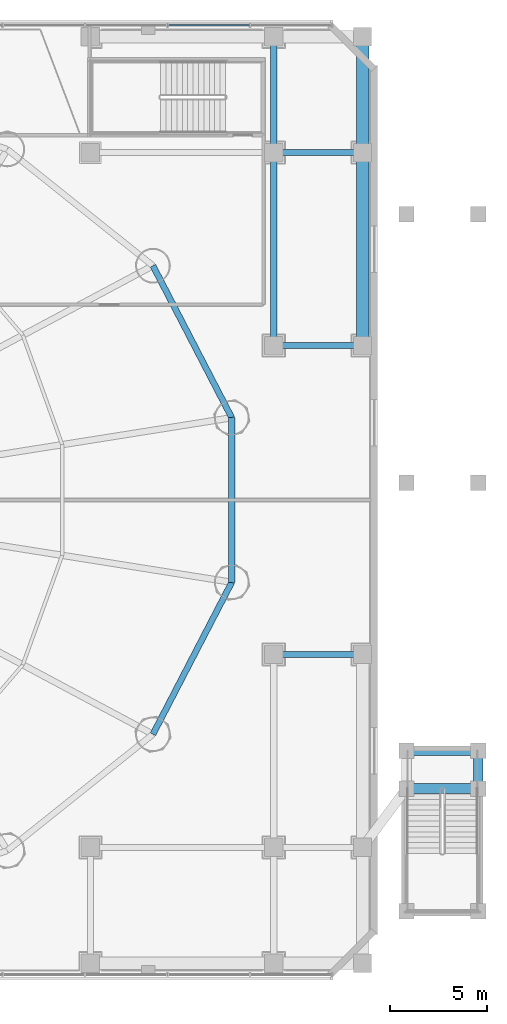
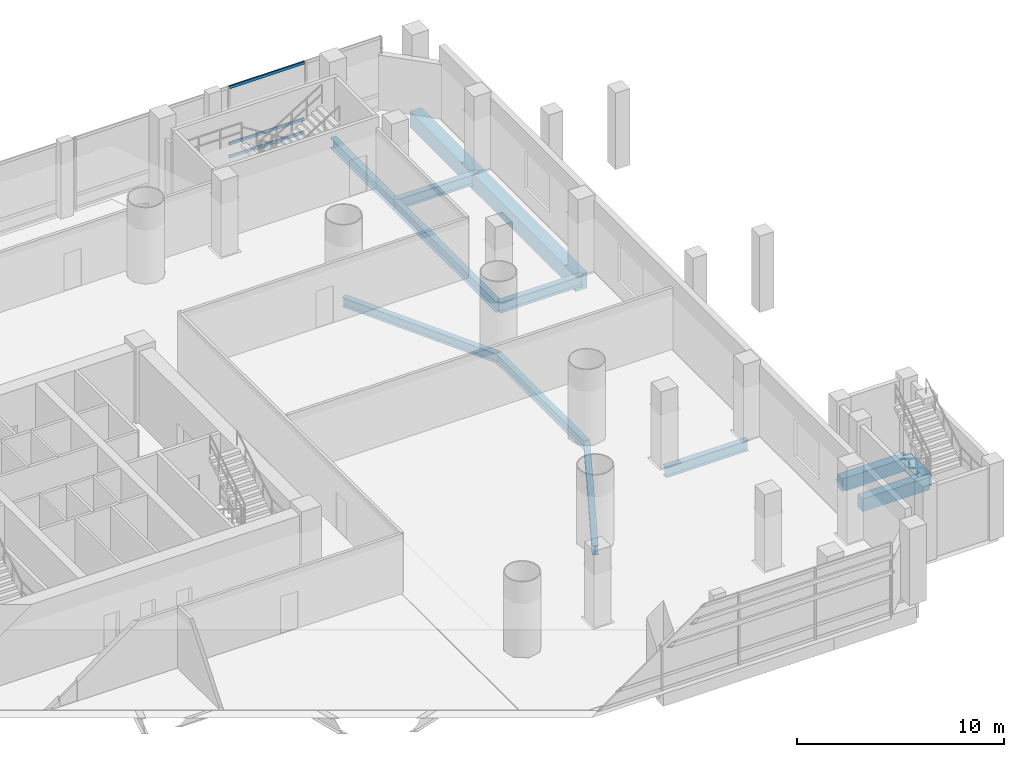
# One storey, part 17 of 36: 13 beams, 3 members, 1 element without a shape of its own.
"""IFC4 building model written with IfcOpenShell, lengths in metres."""

import ifcopenshell
import ifcopenshell.guid

model = None  # the IFC model being written
_history = None  # IfcOwnerHistory: only IFC2X3 demands one
_inside = {}  # id of a spatial element -> (the spatial element, [elements in it])
_under = {}  # id of a project, library or spatial element -> (it, [spatial elements below it])
_declared = {}  # id of a project -> (the project, [libraries it declares])
_typed = {}  # id of a type object -> (the type object, [elements of that type])
_made_of = {}  # id of a material, layer set ... -> (it, [elements and type objects made of it])


def new_model(schema):
    """Start an empty IFC model of exactly this schema.

    Asked for "IFC4X3", IfcOpenShell would pick the latest addendum, in which some entities
    have other attributes; the version numbers below select the first issue.
    IFC2X3 requires an IfcOwnerHistory on every rooted entity: one is made here for all.
    """
    global model, _history
    if schema == "IFC4X3":
        model = ifcopenshell.file(schema_version=(4, 3, 0, 0))
    else:
        model = ifcopenshell.file(schema=schema)
    _inside.clear()
    _under.clear()
    _declared.clear()
    _typed.clear()
    _made_of.clear()
    _history = None
    if model.schema == "IFC2X3":
        org = make("IfcOrganization", Name="unknown")
        user = make(
            "IfcPersonAndOrganization",
            ThePerson=make("IfcPerson", FamilyName="unknown"),
            TheOrganization=org,
        )
        app = make(
            "IfcApplication",
            ApplicationDeveloper=org,
            Version="unknown",
            ApplicationFullName="unknown",
            ApplicationIdentifier="unknown",
        )
        _history = make(
            "IfcOwnerHistory",
            OwningUser=user,
            OwningApplication=app,
            ChangeAction="ADDED",
            CreationDate=0,
        )
    return model


def make(cls, **values):
    """One entity of the class cls with the attributes given. An attribute that is None is left unset."""
    return model.create_entity(
        cls, **{name: value for name, value in values.items() if value is not None}
    )


def rooted(cls, **values):
    """An entity with a GlobalId (a new one), such as an element, a storey or a relation."""
    return make(cls, GlobalId=ifcopenshell.guid.new(), OwnerHistory=_history, **values)


def si_unit(unit_type, name, prefix=None):
    """IfcSIUnit, for example si_unit("LENGTHUNIT", "METRE", prefix="MILLI")."""
    return make("IfcSIUnit", UnitType=unit_type, Prefix=prefix, Name=name)


def assignment(units):
    """IfcUnitAssignment: the units of a project."""
    return None if units is None else make("IfcUnitAssignment", Units=units)


def point(xyz):
    """IfcCartesianPoint."""
    return None if xyz is None else make("IfcCartesianPoint", Coordinates=xyz)


def direction(xyz):
    """IfcDirection."""
    return None if xyz is None else make("IfcDirection", DirectionRatios=xyz)


def frame(location, z_axis=None, x_axis=None):
    """IfcAxis2Placement3D, a coordinate frame: its origin and axes. An axis left out is left unset."""
    return make(
        "IfcAxis2Placement3D",
        Location=point(location),
        Axis=direction(z_axis),
        RefDirection=direction(x_axis),
    )


def frame_2d(location, x_axis=None):
    """IfcAxis2Placement2D, a coordinate frame in the plane: its origin and x axis."""
    return make(
        "IfcAxis2Placement2D", Location=point(location), RefDirection=direction(x_axis)
    )


def origin():
    """The frame at (0, 0, 0) with its axes left unset."""
    return frame((0.0, 0.0, 0.0))


def origin_2d():
    """The frame at (0, 0) in the plane with its x axis left unset."""
    return frame_2d((0.0, 0.0))


def place(relative_to, where):
    """IfcLocalPlacement: puts the frame where relative to a parent placement (None: the world)."""
    return make(
        "IfcLocalPlacement", PlacementRelTo=relative_to, RelativePlacement=where
    )


def context(
    kind, dimensions, precision=None, world=None, true_north=None, identifier=None
):
    """IfcGeometricRepresentationContext, for example the 3D "Model" context."""
    return make(
        "IfcGeometricRepresentationContext",
        ContextIdentifier=identifier,
        ContextType=kind,
        CoordinateSpaceDimension=dimensions,
        Precision=precision,
        WorldCoordinateSystem=world,
        TrueNorth=true_north,
    )


def subcontext(parent, identifier, kind, view, scale=None):
    """IfcGeometricRepresentationSubContext, for example "Body" below "Model"."""
    return make(
        "IfcGeometricRepresentationSubContext",
        ContextIdentifier=identifier,
        ContextType=kind,
        ParentContext=parent,
        TargetScale=scale,
        TargetView=view,
    )


def project(units=None, contexts=None):
    """IfcProject with its units and contexts."""
    return rooted(
        "IfcProject",
        Name="project",
        RepresentationContexts=contexts,
        UnitsInContext=assignment(units),
    )


def spatial(cls, under=None, at=None, **own):
    """A site, building, storey or space (cls), placed at a placement, below another one or the project."""
    s = rooted(cls, ObjectPlacement=at, **own)
    if under is not None:
        _under.setdefault(under.id(), (under, []))[1].append(s)
    return s


def profile(cls, at=None, kind="AREA", **sizes):
    """A parametric profile (cls). Its sizes go by their IFC names, for example OverallWidth=200.0."""
    return make(cls, ProfileType=kind, Position=at, **sizes)


def rectangle(**sizes):
    """IfcRectangleProfileDef."""
    return profile("IfcRectangleProfileDef", **sizes)


def hollow_rectangle(**sizes):
    """IfcRectangleHollowProfileDef."""
    return profile("IfcRectangleHollowProfileDef", **sizes)


def i_section(**sizes):
    """IfcIShapeProfileDef."""
    return profile("IfcIShapeProfileDef", **sizes)


def extrude(swept, where, along, depth):
    """IfcExtrudedAreaSolid: the profile swept, set in the frame where, extruded along a direction by depth."""
    return make(
        "IfcExtrudedAreaSolid",
        SweptArea=swept,
        Position=where,
        ExtrudedDirection=direction(along),
        Depth=depth,
    )


def shape(context_of_items, identifier, shape_type, items):
    """IfcShapeRepresentation: the items that make up one representation, for example the "Body"."""
    return make(
        "IfcShapeRepresentation",
        ContextOfItems=context_of_items,
        RepresentationIdentifier=identifier,
        RepresentationType=shape_type,
        Items=items,
    )


def source(mapping_origin, context_of_items, identifier, shape_type, items):
    """IfcRepresentationMap: a shape defined once, which mapped items show again and again."""
    return make(
        "IfcRepresentationMap",
        MappingOrigin=mapping_origin,
        MappedRepresentation=shape(context_of_items, identifier, shape_type, items),
    )


def transform(
    local_origin,
    x_axis=None,
    y_axis=None,
    z_axis=None,
    scale=None,
    scale2=None,
    scale3=None,
    uniform=True,
):
    """IfcCartesianTransformationOperator3D, or its non-uniform kind. x_axis, y_axis, z_axis: its Axis1, 2, 3."""
    if uniform:
        return make(
            "IfcCartesianTransformationOperator3D",
            Axis1=direction(x_axis),
            Axis2=direction(y_axis),
            LocalOrigin=point(local_origin),
            Scale=scale,
            Axis3=direction(z_axis),
        )
    return make(
        "IfcCartesianTransformationOperator3DnonUniform",
        Axis1=direction(x_axis),
        Axis2=direction(y_axis),
        LocalOrigin=point(local_origin),
        Scale=scale,
        Axis3=direction(z_axis),
        Scale2=scale2,
        Scale3=scale3,
    )


def mapped(mapping_source, mapping_target):
    """IfcMappedItem: shows the shape of a source again, moved by a transform."""
    return make(
        "IfcMappedItem", MappingSource=mapping_source, MappingTarget=mapping_target
    )


def material(Name=None, Category=None):
    """IfcMaterial."""
    return make("IfcMaterial", Name=Name, Category=Category)


def material_profile(
    of_material, cross_section, Name=None, Category=None, Priority=None
):
    """IfcMaterialProfile: a cross section and its material."""
    return make(
        "IfcMaterialProfile",
        Name=Name,
        Material=of_material,
        Profile=cross_section,
        Priority=Priority,
        Category=Category,
    )


def profile_set(profiles, Name=None, composite=None):
    """IfcMaterialProfileSet."""
    return make(
        "IfcMaterialProfileSet",
        Name=Name,
        MaterialProfiles=profiles,
        CompositeProfile=composite,
    )


def made_of(thing, what):
    """Note that an element or type object is made of a material, layer set ...; save() writes the relation."""
    if what is not None:
        _made_of.setdefault(what.id(), (what, []))[1].append(thing)
    return thing


def type_object(cls, material=None, **own):
    """A type object (cls), such as IfcWallType, which elements share."""
    return made_of(rooted(cls, **own), material)


def element(
    cls,
    number,
    at=None,
    inside=None,
    cuts=None,
    type_object=None,
    material=None,
    context=None,
    identifier="Body",
    shape_type=None,
    held_by="IfcProductDefinitionShape",
    body=None,
    shapes=None,
    **own,
):
    """One element of the class cls, such as IfcWall. Its Tag is "e" and its number.

    at: its placement. inside: the storey or other place that contains it. cuts: it is an
    opening in that element (IfcRelVoidsElement). A single representation is given by context,
    identifier, shape_type and body (its items); several are given by shapes. held_by: the class
    of the entity that holds the representations. save() writes the other relations.
    """
    e = rooted(cls, Tag="e%d" % number, ObjectPlacement=at, **own)
    if body is not None:
        shapes = [shape(context, identifier, shape_type, body)]
    if shapes is not None:
        e.Representation = make(held_by, Representations=shapes)
    if inside is not None:
        _inside.setdefault(inside.id(), (inside, []))[1].append(e)
    if cuts is not None:
        rooted(
            "IfcRelVoidsElement", RelatingBuildingElement=cuts, RelatedOpeningElement=e
        )
    if type_object is not None:
        _typed.setdefault(type_object.id(), (type_object, []))[1].append(e)
    return made_of(e, material)


def aggregate(whole, parts):
    """IfcRelAggregates: a whole, such as a stair, and the parts it consists of."""
    return rooted("IfcRelAggregates", RelatingObject=whole, RelatedObjects=parts)


def save(model, path):
    """Write the relations noted so far, then the file.

    IfcRelAggregates (storeys below a building ...), IfcRelContainedInSpatialStructure (elements
    in a storey), IfcRelDefinesByType, IfcRelAssociatesMaterial and IfcRelDeclares: one each for
    every whole, place, type object, material and project.
    """
    for whole, parts in _under.values():
        aggregate(whole, parts)
    for where, things in _inside.values():
        rooted(
            "IfcRelContainedInSpatialStructure",
            RelatedElements=things,
            RelatingStructure=where,
        )
    for kind, things in _typed.values():
        rooted("IfcRelDefinesByType", RelatedObjects=things, RelatingType=kind)
    for what, things in _made_of.values():
        rooted("IfcRelAssociatesMaterial", RelatedObjects=things, RelatingMaterial=what)
    for by, libraries in _declared.values():
        rooted("IfcRelDeclares", RelatingContext=by, RelatedDefinitions=libraries)
    model.write(path)


model = new_model("IFC4")

# Units and contexts
model_context = context("Model", 3, precision=1e-05, world=origin(), true_north=direction((-0.2419218956, 0.970295726276)))
body_context = subcontext(model_context, "Body", "Model", "MODEL_VIEW")
ifc_project = project(units=[si_unit("LENGTHUNIT", "METRE"), si_unit("AREAUNIT", "SQUARE_METRE"), si_unit("VOLUMEUNIT", "CUBIC_METRE"), si_unit("PLANEANGLEUNIT", "RADIAN"), si_unit("MASSUNIT", "GRAM", prefix="KILO")], contexts=[model_context])

# Site, building, storey
site_placement = place(None, origin())
site = spatial("IfcSite", under=ifc_project, at=site_placement, CompositionType="ELEMENT")
building_placement = place(site_placement, origin())
building = spatial("IfcBuilding", under=site, at=building_placement, Name="Cobrevalo Terracotta Tower", CompositionType="ELEMENT")
storey_placement = place(building_placement, frame((0.0, 0.0, 9.89990234375)))
storey = spatial("IfcBuildingStorey", under=building, at=storey_placement, Name="L02", CompositionType="ELEMENT", Elevation=9.89990234375)

# Beams
ifc_material_1 = material(Name="Steel S355", Category="steel")
ifc_material_profile_1 = material_profile(ifc_material_1, i_section(OverallWidth=0.324951171875, OverallDepth=0.615966796875, WebThickness=0.013916015625, FlangeThickness=0.021484375, at=origin_2d()), Name="W 610x174")
ifc_profile_set_1 = profile_set([ifc_material_profile_1], Name="Steel S355")
beam_type_1 = type_object("IfcBeamType", Name="Structural Beam W 610x174 (Steel S355)", PredefinedType="BEAM", material=ifc_profile_set_1)
beam_1_placement = place(storey_placement, frame((67.0, 18.800048828125, -0.60791015625), z_axis=(1.0, 0.0, 0.0), x_axis=(0.0, 1.0, 0.0)))
element("IfcBeam", 1, at=beam_1_placement, inside=storey, type_object=beam_type_1, Name="L02 podium grid beam G8-GC to G9-GC", PredefinedType="BEAM", context=body_context, shape_type="SweptSolid", body=[
    extrude(i_section(OverallWidth=0.324951171875, OverallDepth=0.615966796875, WebThickness=0.013916015625, FlangeThickness=0.021484375, at=origin_2d()), origin(), (0.0, 0.0, 1.0), 4.60009765625),
])
beam_2_placement = place(storey_placement, frame((67.0, 34.800048828125, -0.60791015625), z_axis=(0.0, 1.0, 0.0), x_axis=(-1.0, 0.0, 0.0)))
element("IfcBeam", 2, at=beam_2_placement, inside=storey, type_object=beam_type_1, Name="L02 podium grid beam G8-GE to G8-GF", PredefinedType="BEAM", context=body_context, shape_type="SweptSolid", body=[
    extrude(i_section(OverallWidth=0.324951171875, OverallDepth=0.615966796875, WebThickness=0.013916015625, FlangeThickness=0.021484375, at=origin_2d()), origin(), (0.0, 0.0, 1.0), 10.0),
])
beam_3_placement = place(storey_placement, frame((67.0, 34.800048828125, -0.60791015625), z_axis=(1.0, 0.0, 0.0), x_axis=(0.0, 1.0, 0.0)))
element("IfcBeam", 3, at=beam_3_placement, inside=storey, type_object=beam_type_1, Name="L02 podium grid beam G8-GE to G9-GE", PredefinedType="BEAM", context=body_context, shape_type="SweptSolid", body=[
    extrude(i_section(OverallWidth=0.324951171875, OverallDepth=0.615966796875, WebThickness=0.013916015625, FlangeThickness=0.021484375, at=origin_2d()), origin(), (0.0, 0.0, 1.0), 4.60009765625),
])
beam_4_placement = place(storey_placement, frame((67.0, 44.800048828125, -0.60791015625), z_axis=(0.0, 1.0, 0.0), x_axis=(-1.0, 0.0, 0.0)))
element("IfcBeam", 4, at=beam_4_placement, inside=storey, type_object=beam_type_1, Name="L02 podium grid beam G8-GF to G8-GG", PredefinedType="BEAM", context=body_context, shape_type="SweptSolid", body=[
    extrude(i_section(OverallWidth=0.324951171875, OverallDepth=0.615966796875, WebThickness=0.013916015625, FlangeThickness=0.021484375, at=origin_2d()), origin(), (0.0, 0.0, 1.0), 6.0),
])
beam_5_placement = place(storey_placement, frame((67.0, 44.800048828125, -0.60791015625), z_axis=(1.0, 0.0, 0.0), x_axis=(0.0, 1.0, 0.0)))
element("IfcBeam", 5, at=beam_5_placement, inside=storey, type_object=beam_type_1, Name="L02 podium grid beam G8-GF to G9-GF", PredefinedType="BEAM", context=body_context, shape_type="SweptSolid", body=[
    extrude(i_section(OverallWidth=0.324951171875, OverallDepth=0.615966796875, WebThickness=0.013916015625, FlangeThickness=0.021484375, at=origin_2d()), origin(), (0.0, 0.0, 1.0), 4.60009765625),
])
ifc_material_2 = material(Name="Concrete C50", Category="concrete")
ifc_material_profile_2 = material_profile(ifc_material_2, rectangle(XDim=0.64990234375, YDim=0.949951171875, at=origin_2d()), Name="RC BM 650x950")
ifc_profile_set_2 = profile_set([ifc_material_profile_2], Name="Concrete C50")
beam_type_2 = type_object("IfcBeamType", Name="Structural Spandrel RC BM 650x950 (Concrete C50)", PredefinedType="SPANDREL", material=ifc_profile_set_2)
beam_6_placement = place(storey_placement, frame((71.60009765625, 34.800048828125, -0.77490234375), z_axis=(0.0, 1.0, 0.0), x_axis=(-1.0, 0.0, 0.0)))
element("IfcBeam", 6, at=beam_6_placement, inside=storey, type_object=beam_type_2, Name="L02 podium grid beam G9-GE to G9-GF", PredefinedType="SPANDREL", context=body_context, shape_type="SweptSolid", body=[
    extrude(rectangle(XDim=0.64990234375, YDim=0.949951171875, at=origin_2d()), origin(), (0.0, 0.0, 1.0), 10.0),
])
beam_7_placement = place(storey_placement, frame((71.60009765625, 44.800048828125, -0.77490234375), z_axis=(0.0, 1.0, 0.0), x_axis=(-1.0, 0.0, 0.0)))
element("IfcBeam", 7, at=beam_7_placement, inside=storey, type_object=beam_type_2, Name="L02 podium grid beam G9-GF to G9-GG", PredefinedType="SPANDREL", context=body_context, shape_type="SweptSolid", body=[
    extrude(rectangle(XDim=0.64990234375, YDim=0.949951171875, at=origin_2d()), origin(), (0.0, 0.0, 1.0), 6.0),
])
ifc_material_profile_3 = material_profile(ifc_material_1, i_section(OverallWidth=0.31201171875, OverallDepth=0.54296875, WebThickness=0.0126953125, FlangeThickness=0.020263671875, at=origin_2d()), Name="W 530x150")
ifc_profile_set_3 = profile_set([ifc_material_profile_3], Name="Steel S355")
beam_type_3 = type_object("IfcBeamType", Name="Structural Spandrel W 530x150 (Steel S355)", PredefinedType="SPANDREL", material=ifc_profile_set_3)
for number, where, z_axis, x_axis, name in (
    (8, (64.824462890625, 31.062744140625, -0.5712890625), (-0.460285838799, 0.88777077368, 0.0), (-0.88777077368, -0.460285838799, 0.0), "L02 perimeter ring spandrel 01"),
    (9, (60.74072265625, 14.660888671875, -0.5712890625), (0.460285838799, 0.88777077368, 0.0), (-0.88777077368, 0.460285838799, 0.0), "L02 perimeter ring spandrel 15"),
):
    element("IfcBeam", number, at=place(storey_placement, frame(where, z_axis=z_axis, x_axis=x_axis)), inside=storey, type_object=beam_type_3, Name=name, PredefinedType="SPANDREL", context=body_context, shape_type="SweptSolid", body=[
        extrude(i_section(OverallWidth=0.31201171875, OverallDepth=0.54296875, WebThickness=0.0126953125, FlangeThickness=0.020263671875, at=origin_2d()), origin(), (0.0, 0.0, 1.0), 8.8720703125),
    ])
beam_8_placement = place(storey_placement, frame((64.824462890625, 22.537353515625, -0.5712890625), z_axis=(0.0, 1.0, 0.0), x_axis=(-1.0, 0.0, 0.0)))
element("IfcBeam", 10, at=beam_8_placement, inside=storey, type_object=beam_type_3, Name="L02 perimeter ring spandrel 16", PredefinedType="SPANDREL", context=body_context, shape_type="SweptSolid", body=[
    extrude(i_section(OverallWidth=0.31201171875, OverallDepth=0.54296875, WebThickness=0.0126953125, FlangeThickness=0.020263671875, at=origin_2d()), origin(), (0.0, 0.0, 1.0), 8.525390625),
])
ifc_material_profile_4 = material_profile(ifc_material_2, rectangle(XDim=0.5, YDim=0.75, at=origin_2d()), Name="RC BM 500x750")
ifc_profile_set_4 = profile_set([ifc_material_profile_4], Name="Concrete C50")
beam_type_4 = type_object("IfcBeamType", Name="Structural T Beam RC BM 500x750 (Concrete C50)", PredefinedType="T_BEAM", material=ifc_profile_set_4)
beam_9_placement = place(storey_placement, frame((77.60009765625, 11.85009765625, -0.6748046875), z_axis=(0.0, 1.0, 0.0), x_axis=(-1.0, 0.0, 0.0)))
element("IfcBeam", 11, at=beam_9_placement, inside=storey, type_object=beam_type_4, Name="L02 garden stair landing side beam E2", PredefinedType="T_BEAM", context=body_context, shape_type="SweptSolid", body=[
    extrude(rectangle(XDim=0.5, YDim=0.75, at=origin_2d()), origin(), (0.0, 0.0, 1.0), 1.949951171875),
])
for number, where, z_axis, x_axis, name in (
    (12, (73.8798828125, 11.85009765625, -0.6748046875), (1.0, 0.0, 0.0), (0.0, 1.0, 0.0), "L02 garden stair shaft header beam ES"),
    (13, (73.8798828125, 13.800048828125, -0.6748046875), (1.0, 0.0, 0.0), (0.0, 1.0, 0.0), "L02 garden stair shaft header beam EN"),
):
    element("IfcBeam", number, at=place(storey_placement, frame(where, z_axis=z_axis, x_axis=x_axis)), inside=storey, type_object=beam_type_4, Name=name, PredefinedType="T_BEAM", context=body_context, shape_type="SweptSolid", body=[
        extrude(rectangle(XDim=0.5, YDim=0.75, at=origin_2d()), origin(), (0.0, 0.0, 1.0), 3.72021484375),
    ])

# Curtain wall, members
ifc_material_3 = material(Name="Anodized aluminium", Category="aluminium")
curtain_wall_type = type_object("IfcCurtainWallType", Name="Podium gallery & conservatory curtain wall CW-S2", PredefinedType="NOTDEFINED", material=ifc_material_3)
curtain_wall_placement = place(storey_placement, origin())
curtain_wall = element("IfcCurtainWall", 14, at=curtain_wall_placement, inside=storey, type_object=curtain_wall_type, Name="L02 curtain wall CW-POD-L02-N", PredefinedType="NOTDEFINED")
ifc_material_profile_5 = material_profile(ifc_material_3, hollow_rectangle(XDim=0.080078125, YDim=0.1650390625, WallThickness=0.00439453125, at=origin_2d()), Name="CWT 80x165")
ifc_profile_set_5 = profile_set([ifc_material_profile_5], Name="Anodized aluminium")
member_type = type_object("IfcMemberType", Name="Storefront & atrium aluminium transom 80x165", PredefinedType="USERDEFINED", material=ifc_profile_set_5)
shared_shape = source(origin(), body_context, "Body", "SweptSolid", [
    extrude(hollow_rectangle(XDim=0.080078125, YDim=0.1650390625, WallThickness=0.00439453125, at=origin_2d()), origin(), (0.0, 0.0, 1.0), 4.193359375),
])
member_1_placement = place(storey_placement, frame((65.736572265625, 51.39990234375, 0.050048828125), z_axis=(-1.0, 0.0, 0.0), x_axis=(0.0, -1.0, 0.0)))
member_1 = element("IfcMember", 15, at=member_1_placement, type_object=member_type, Name="CW-POD-L02-N transom B02-T1", ObjectType="TRANSOM", PredefinedType="USERDEFINED", context=body_context, shape_type="MappedRepresentation", body=[
    mapped(shared_shape, transform((0.0, 0.0, 0.0), scale=1.0)),
])
member_2_placement = place(storey_placement, frame((65.736572265625, 51.39990234375, 0.820068359375), z_axis=(-1.0, 0.0, 0.0), x_axis=(0.0, -1.0, 0.0)))
member_2 = element("IfcMember", 16, at=member_2_placement, type_object=member_type, Name="CW-POD-L02-N transom B02-T2", ObjectType="TRANSOM", PredefinedType="USERDEFINED", context=body_context, shape_type="MappedRepresentation", body=[
    mapped(shared_shape, transform((0.0, 0.0, 0.0), scale=1.0)),
])
member_3_placement = place(storey_placement, frame((65.736572265625, 51.39990234375, 4.150146484375), z_axis=(-1.0, 0.0, 0.0), x_axis=(0.0, -1.0, 0.0)))
member_3 = element("IfcMember", 17, at=member_3_placement, type_object=member_type, Name="CW-POD-L02-N transom B02-T3", ObjectType="TRANSOM", PredefinedType="USERDEFINED", context=body_context, shape_type="MappedRepresentation", body=[
    mapped(shared_shape, transform((0.0, 0.0, 0.0), scale=1.0)),
])
aggregate(curtain_wall, [member_1, member_2, member_3])

save(model, "model.ifc")
